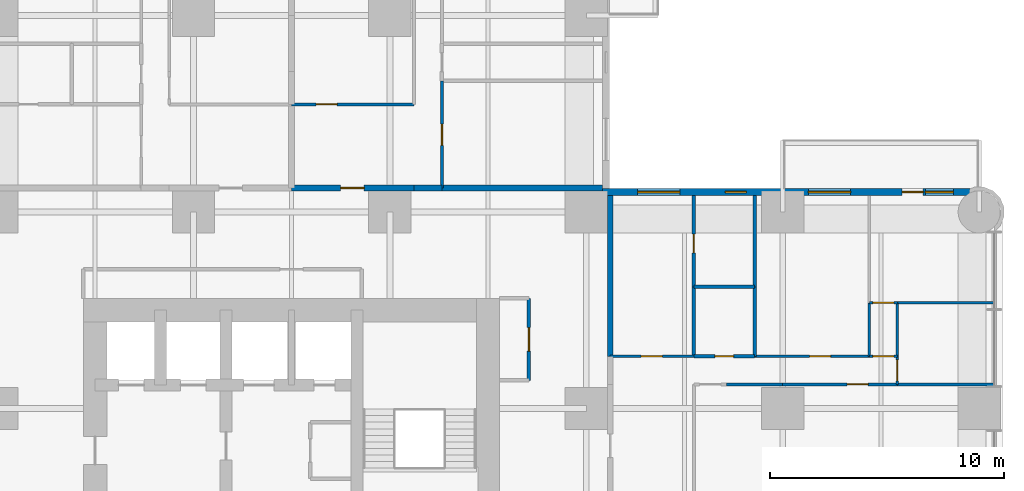
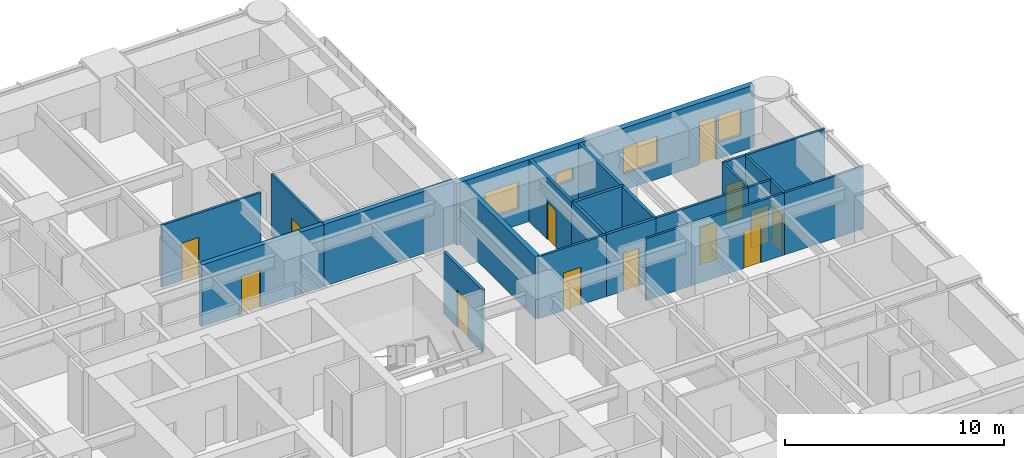
# One storey, part 14 of 17: 25 walls, 13 doors, 4 windows, 17 openings.
"""IFC4 building model written with IfcOpenShell, lengths in metres."""

from ifc_helpers import new_model, si_unit, direction, frame, frame_2d, origin, place, context, subcontext, project, spatial, rectangle, extrude, material, layer, layer_set, type_object, element, fill, save


model = new_model("IFC4")

# Units and contexts
model_context = context("Model", 3, precision=1e-05, world=origin(), true_north=direction((0.0, 1.0)))
body_context = subcontext(model_context, "Body", "Model", "MODEL_VIEW")
ifc_project = project(units=[si_unit("LENGTHUNIT", "METRE"), si_unit("AREAUNIT", "SQUARE_METRE"), si_unit("VOLUMEUNIT", "CUBIC_METRE"), si_unit("PLANEANGLEUNIT", "RADIAN"), si_unit("MASSUNIT", "GRAM", prefix="KILO")], contexts=[model_context])

# Site, building, storey
site_placement = place(None, origin())
site = spatial("IfcSite", under=ifc_project, at=site_placement, CompositionType="ELEMENT")
building_placement = place(site_placement, origin())
building = spatial("IfcBuilding", under=site, at=building_placement, Name="Torre Alcanfor", CompositionType="ELEMENT")
storey_placement = place(building_placement, frame((0.0, 0.0, 45.300048828125)))
storey = spatial("IfcBuildingStorey", under=building, at=storey_placement, Name="L10", CompositionType="ELEMENT", Elevation=45.300048828125)

# Wall, opening, door
ifc_material_1 = material(Name="Concrete block masonry, hollow blocks NMX-C-404 9 MPa", Category="masonry")
ifc_layer_1 = layer(ifc_material_1, 0.25)
ifc_layer_set_1 = layer_set([ifc_layer_1], Name="Apartment entrance wall 250 EI 60")
wall_type_1 = type_object("IfcWallType", Name="Apartment entrance wall 250 EI 60", PredefinedType="PARTITIONING", material=ifc_layer_set_1)
wall_1_placement = place(storey_placement, frame((29.39990234375, 43.02490234375, 0.0), z_axis=(0.0, 0.0, 1.0), x_axis=(1.0, 0.0, 0.0)))
wall_1 = element("IfcWall", 1, at=wall_1_placement, inside=storey, type_object=wall_type_1, Name="Partition L10-CORR / L10-N2-ZAG", PredefinedType="PARTITIONING", context=body_context, shape_type="SweptSolid", body=[
    extrude(rectangle(XDim=5.22900390625, YDim=0.25, at=frame_2d((2.614501953125, 0.0))), origin(), (0.0, 0.0, 1.0), 3.449951171875),
])
opening_1_placement = place(wall_1_placement, frame((2.10009765625, 0.0, 0.0)))
opening_1 = element("IfcOpeningElement", 2, at=opening_1_placement, cuts=wall_1, Name="Opening D-A1", PredefinedType="OPENING", context=body_context, shape_type="SweptSolid", body=[
    extrude(rectangle(XDim=1.0, YDim=2.10009765625, at=frame_2d((0.5, 1.050048828125))), frame((0.0, 0.135009765625, 0.0), z_axis=(0.0, -1.0, 0.0), x_axis=(1.0, 0.0, 0.0)), (0.0, 0.0, 1.0), 0.27001953125),
])
ifc_material_2 = material(Name="Galvanised steel sheet ASTM A653", Category="steel")
door_type_1 = type_object("IfcDoorType", Name="Apartment entrance door FD60 1000x2100", OperationType="SINGLE_SWING_LEFT", PredefinedType="DOOR", material=ifc_material_2)
door_1_placement = place(opening_1_placement, origin())
door_1 = element("IfcDoor", 3, at=door_1_placement, inside=storey, type_object=door_type_1, Name="Apartment entrance L10-N2", OperationType="SINGLE_SWING_LEFT", OverallHeight=2.10009765625, OverallWidth=1.0, PredefinedType="DOOR", context=body_context, shape_type="SweptSolid", body=[
    extrude(rectangle(XDim=1.0, YDim=2.10009765625, at=frame_2d((0.5, 1.050048828125))), frame((0.0, 0.02490234375, 0.0), z_axis=(0.0, -1.0, 0.0), x_axis=(1.0, 0.0, 0.0)), (0.0, 0.0, 1.0), 0.050048828125),
])
fill(opening_1, door_1)

# Walls
wall_2_placement = place(storey_placement, frame((34.62890625, 43.02490234375, 0.0), z_axis=(0.0, 0.0, 1.0), x_axis=(1.0, 0.0, 0.0)))
element("IfcWall", 4, at=wall_2_placement, inside=storey, type_object=wall_type_1, Name="Partition L10-CORR / L10-N2-HALL", PredefinedType="PARTITIONING", context=body_context, shape_type="SweptSolid", body=[
    extrude(rectangle(XDim=1.2001953125, YDim=0.25, at=frame_2d((0.60009765625, 0.0))), origin(), (0.0, 0.0, 1.0), 3.449951171875),
])
for number, where, z_axis, x_axis, name in (
    (5, (35.8291015625, 43.02490234375, 0.0), (0.0, 0.0, 1.0), (1.0, 0.0, 0.0), "Partition L10-CORR / L10-N2-BED3"),
    (6, (43.02490234375, 42.699951171875, 0.0), (0.0, 0.0, 1.0), (0.0, -1.0, 0.0), "Partition L10-CORR / L10-E1-SERV"),
):
    element("IfcWall", number, at=place(storey_placement, frame(where, z_axis=z_axis, x_axis=x_axis)), inside=storey, type_object=wall_type_1, Name=name, PredefinedType="PARTITIONING", context=body_context, shape_type="SweptSolid", body=[
        extrude(rectangle(XDim=6.870849609375, YDim=0.25, at=frame_2d((3.435546875, 0.0))), origin(), (0.0, 0.0, 1.0), 3.449951171875),
    ])

# Wall, opening, door
ifc_material_3 = material(Name="Gypsum board on steel studs", Category="steel")
ifc_layer_2 = layer(ifc_material_3, 0.1201171875)
ifc_layer_set_2 = layer_set([ifc_layer_2], Name="Apartment partition 120")
wall_type_2 = type_object("IfcWallType", Name="Apartment partition 120", PredefinedType="PARTITIONING", material=ifc_layer_set_2)
wall_3_placement = place(storey_placement, frame((29.39990234375, 46.60009765625, 0.0), z_axis=(0.0, 0.0, 1.0), x_axis=(1.0, 0.0, 0.0)))
wall_3 = element("IfcWall", 7, at=wall_3_placement, inside=storey, type_object=wall_type_2, Name="Partition L10-N2-ZAG / L10-N2-KITCHEN", PredefinedType="PARTITIONING", context=body_context, shape_type="SweptSolid", body=[
    extrude(rectangle(XDim=5.22900390625, YDim=0.1201171875, at=frame_2d((2.614501953125, 0.0))), origin(), (0.0, 0.0, 1.0), 3.449951171875),
])
opening_2_placement = place(wall_3_placement, frame((1.050048828125, 0.0, 0.0)))
opening_2 = element("IfcOpeningElement", 8, at=opening_2_placement, cuts=wall_3, Name="Opening D-R1", PredefinedType="OPENING", context=body_context, shape_type="SweptSolid", body=[
    extrude(rectangle(XDim=0.89990234375, YDim=2.10009765625, at=frame_2d((0.449951171875, 1.050048828125))), frame((0.0, 0.070068359375, 0.0), z_axis=(0.0, -1.0, 0.0), x_axis=(1.0, 0.0, 0.0)), (0.0, 0.0, 1.0), 0.14013671875),
])
ifc_material_4 = material(Name="Timber", Category="wood")
door_type_2 = type_object("IfcDoorType", Name="Internal door 900x2100", OperationType="SINGLE_SWING_LEFT", PredefinedType="DOOR", material=ifc_material_4)
door_2_placement = place(opening_2_placement, origin())
door_2 = element("IfcDoor", 9, at=door_2_placement, inside=storey, type_object=door_type_2, Name="Door L10-N2 kitchen", OperationType="SINGLE_SWING_LEFT", OverallHeight=2.10009765625, OverallWidth=0.89990234375, PredefinedType="DOOR", context=body_context, shape_type="SweptSolid", body=[
    extrude(rectangle(XDim=0.89990234375, YDim=2.10009765625, at=frame_2d((0.449951171875, 1.050048828125))), frame((0.0, 0.02490234375, 0.0), z_axis=(0.0, -1.0, 0.0), x_axis=(1.0, 0.0, 0.0)), (0.0, 0.0, 1.0), 0.050048828125),
])
fill(opening_2, door_2)

wall_4_placement = place(storey_placement, frame((35.8291015625, 47.60009765625, 0.0), z_axis=(0.0, 0.0, 1.0), x_axis=(0.0, -1.0, 0.0)))
wall_4 = element("IfcWall", 10, at=wall_4_placement, inside=storey, type_object=wall_type_2, Name="Partition L10-N2-HALL / L10-N2-BED3", PredefinedType="PARTITIONING", context=body_context, shape_type="SweptSolid", body=[
    extrude(rectangle(XDim=4.5751953125, YDim=0.1201171875, at=frame_2d((2.28759765625, 0.0))), origin(), (0.0, 0.0, 1.0), 3.449951171875),
])
opening_3_placement = place(wall_4_placement, frame((1.85009765625, 0.0, 0.0)))
opening_3 = element("IfcOpeningElement", 11, at=opening_3_placement, cuts=wall_4, Name="Opening D-R1", PredefinedType="OPENING", context=body_context, shape_type="SweptSolid", body=[
    extrude(rectangle(XDim=0.89990234375, YDim=2.10009765625, at=frame_2d((0.449951171875, 1.050048828125))), frame((0.0, 0.070068359375, 0.0), z_axis=(0.0, -1.0, 0.0), x_axis=(1.0, 0.0, 0.0)), (0.0, 0.0, 1.0), 0.14013671875),
])
door_3_placement = place(opening_3_placement, origin())
door_3 = element("IfcDoor", 12, at=door_3_placement, inside=storey, type_object=door_type_2, Name="Door L10-N2 bed3", OperationType="SINGLE_SWING_RIGHT", OverallHeight=2.10009765625, OverallWidth=0.89990234375, PredefinedType="DOOR", context=body_context, shape_type="SweptSolid", body=[
    extrude(rectangle(XDim=0.89990234375, YDim=2.10009765625, at=frame_2d((0.449951171875, 1.050048828125))), frame((0.0, 0.02490234375, 0.0), z_axis=(0.0, -1.0, 0.0), x_axis=(1.0, 0.0, 0.0)), (0.0, 0.0, 1.0), 0.050048828125),
])
fill(opening_3, door_3)

# Wall
wall_5_placement = place(storey_placement, frame((50.39990234375, 34.62890625, 0.0), z_axis=(0.0, 0.0, 1.0), x_axis=(-1.0, 0.0, 0.0)))
element("IfcWall", 13, at=wall_5_placement, inside=storey, type_object=wall_type_2, Name="Partition L10-E1-KITCHEN / L10-E1-HALL", PredefinedType="PARTITIONING", context=body_context, shape_type="SweptSolid", body=[
    extrude(rectangle(XDim=2.39990234375, YDim=0.1201171875, at=frame_2d((1.199951171875, 0.0))), origin(), (0.0, 0.0, 1.0), 3.449951171875),
])

# Wall, opening, door
wall_6_placement = place(storey_placement, frame((55.300048828125, 34.62890625, 0.0), z_axis=(0.0, 0.0, 1.0), x_axis=(-1.0, 0.0, 0.0)))
wall_6 = element("IfcWall", 14, at=wall_6_placement, inside=storey, type_object=wall_type_2, Name="Partition L10-E1-LIVING / L10-E1-HALL", PredefinedType="PARTITIONING", context=body_context, shape_type="SweptSolid", body=[
    extrude(rectangle(XDim=4.900146484375, YDim=0.1201171875, at=frame_2d((2.4501953125, 0.0))), origin(), (0.0, 0.0, 1.0), 3.449951171875),
])
opening_4_placement = place(wall_6_placement, frame((1.25, 0.0, 0.0)))
opening_4 = element("IfcOpeningElement", 15, at=opening_4_placement, cuts=wall_6, Name="Opening D-R1", PredefinedType="OPENING", context=body_context, shape_type="SweptSolid", body=[
    extrude(rectangle(XDim=0.89990234375, YDim=2.10009765625, at=frame_2d((0.449951171875, 1.050048828125))), frame((0.0, 0.070068359375, 0.0), z_axis=(0.0, -1.0, 0.0), x_axis=(1.0, 0.0, 0.0)), (0.0, 0.0, 1.0), 0.14013671875),
])
door_4_placement = place(opening_4_placement, origin())
door_4 = element("IfcDoor", 16, at=door_4_placement, inside=storey, type_object=door_type_2, Name="Door L10-E1 living", OperationType="SINGLE_SWING_RIGHT", OverallHeight=2.10009765625, OverallWidth=0.89990234375, PredefinedType="DOOR", context=body_context, shape_type="SweptSolid", body=[
    extrude(rectangle(XDim=0.89990234375, YDim=2.10009765625, at=frame_2d((0.449951171875, 1.050048828125))), frame((0.0, 0.02490234375, 0.0), z_axis=(0.0, -1.0, 0.0), x_axis=(1.0, 0.0, 0.0)), (0.0, 0.0, 1.0), 0.050048828125),
])
fill(opening_4, door_4)

# Wall
wall_7_placement = place(storey_placement, frame((59.449951171875, 34.62890625, 0.0), z_axis=(0.0, 0.0, 1.0), x_axis=(-1.0, 0.0, 0.0)))
element("IfcWall", 17, at=wall_7_placement, inside=storey, type_object=wall_type_2, Name="Partition L10-E1-LIVING / L10-E1-BED2", PredefinedType="PARTITIONING", context=body_context, shape_type="SweptSolid", body=[
    extrude(rectangle(XDim=4.14990234375, YDim=0.1201171875, at=frame_2d((2.074951171875, 0.0))), origin(), (0.0, 0.0, 1.0), 3.449951171875),
])

# Wall, opening, door
wall_8_placement = place(storey_placement, frame((46.60009765625, 35.8291015625, 0.0), z_axis=(0.0, 0.0, 1.0), x_axis=(-1.0, 0.0, 0.0)))
wall_8 = element("IfcWall", 18, at=wall_8_placement, inside=storey, type_object=wall_type_2, Name="Partition L10-E1-HALL / L10-E1-SERV", PredefinedType="PARTITIONING", context=body_context, shape_type="SweptSolid", body=[
    extrude(rectangle(XDim=3.5751953125, YDim=0.1201171875, at=frame_2d((1.78759765625, 0.0))), origin(), (0.0, 0.0, 1.0), 3.449951171875),
])
opening_5_placement = place(wall_8_placement, frame((1.35009765625, 0.0, 0.0)))
opening_5 = element("IfcOpeningElement", 19, at=opening_5_placement, cuts=wall_8, Name="Opening D-R1", PredefinedType="OPENING", context=body_context, shape_type="SweptSolid", body=[
    extrude(rectangle(XDim=0.89990234375, YDim=2.10009765625, at=frame_2d((0.449951171875, 1.050048828125))), frame((0.0, 0.070068359375, 0.0), z_axis=(0.0, -1.0, 0.0), x_axis=(1.0, 0.0, 0.0)), (0.0, 0.0, 1.0), 0.14013671875),
])
door_5_placement = place(opening_5_placement, frame((0.89990234375, 0.0, 0.0), z_axis=(0.0, 0.0, 1.0), x_axis=(-1.0, 0.0, 0.0)))
door_5 = element("IfcDoor", 20, at=door_5_placement, inside=storey, type_object=door_type_2, Name="Door L10-E1 serv", OperationType="SINGLE_SWING_LEFT", OverallHeight=2.10009765625, OverallWidth=0.89990234375, PredefinedType="DOOR", context=body_context, shape_type="SweptSolid", body=[
    extrude(rectangle(XDim=0.89990234375, YDim=2.10009765625, at=frame_2d((0.449951171875, 1.050048828125))), frame((0.0, 0.025146484375, 0.0), z_axis=(0.0, -1.0, 0.0), x_axis=(1.0, 0.0, 0.0)), (0.0, 0.0, 1.0), 0.050048828125),
])
fill(opening_5, door_5)

wall_9_placement = place(storey_placement, frame((54.10009765625, 35.8291015625, 0.0), z_axis=(0.0, 0.0, 1.0), x_axis=(-1.0, 0.0, 0.0)))
wall_9 = element("IfcWall", 21, at=wall_9_placement, inside=storey, type_object=wall_type_2, Name="Partition L10-E1-HALL / L10-E1-BED3", PredefinedType="PARTITIONING", context=body_context, shape_type="SweptSolid", body=[
    extrude(rectangle(XDim=4.900146484375, YDim=0.1201171875, at=frame_2d((2.4501953125, 0.0))), origin(), (0.0, 0.0, 1.0), 3.449951171875),
])
opening_6_placement = place(wall_9_placement, frame((1.64990234375, 0.0, 0.0)))
opening_6 = element("IfcOpeningElement", 22, at=opening_6_placement, cuts=wall_9, Name="Opening D-R1", PredefinedType="OPENING", context=body_context, shape_type="SweptSolid", body=[
    extrude(rectangle(XDim=0.89990234375, YDim=2.10009765625, at=frame_2d((0.449951171875, 1.050048828125))), frame((0.0, 0.070068359375, 0.0), z_axis=(0.0, -1.0, 0.0), x_axis=(1.0, 0.0, 0.0)), (0.0, 0.0, 1.0), 0.14013671875),
])
door_6_placement = place(opening_6_placement, frame((0.89990234375, 0.0, 0.0), z_axis=(0.0, 0.0, 1.0), x_axis=(-1.0, 0.0, 0.0)))
door_6 = element("IfcDoor", 23, at=door_6_placement, inside=storey, type_object=door_type_2, Name="Door L10-E1 bed3", OperationType="SINGLE_SWING_RIGHT", OverallHeight=2.10009765625, OverallWidth=0.89990234375, PredefinedType="DOOR", context=body_context, shape_type="SweptSolid", body=[
    extrude(rectangle(XDim=0.89990234375, YDim=2.10009765625, at=frame_2d((0.449951171875, 1.050048828125))), frame((0.0, 0.025146484375, 0.0), z_axis=(0.0, -1.0, 0.0), x_axis=(1.0, 0.0, 0.0)), (0.0, 0.0, 1.0), 0.050048828125),
])
fill(opening_6, door_6)

wall_10_placement = place(storey_placement, frame((55.300048828125, 35.8291015625, 0.0), z_axis=(0.0, 0.0, 1.0), x_axis=(-1.0, 0.0, 0.0)))
wall_10 = element("IfcWall", 24, at=wall_10_placement, inside=storey, type_object=wall_type_2, Name="Partition L10-E1-HALL / L10-E1-VEST", PredefinedType="PARTITIONING", context=body_context, shape_type="SweptSolid", body=[
    extrude(rectangle(XDim=1.199951171875, YDim=0.1201171875, at=frame_2d((0.60009765625, 0.0))), origin(), (0.0, 0.0, 1.0), 3.449951171875),
])
opening_7_placement = place(wall_10_placement, frame((0.14990234375, 0.0, 0.0)))
opening_7 = element("IfcOpeningElement", 25, at=opening_7_placement, cuts=wall_10, Name="Opening D-R1", PredefinedType="OPENING", context=body_context, shape_type="SweptSolid", body=[
    extrude(rectangle(XDim=0.89990234375, YDim=2.10009765625, at=frame_2d((0.449951171875, 1.050048828125))), frame((0.0, 0.070068359375, 0.0), z_axis=(0.0, -1.0, 0.0), x_axis=(1.0, 0.0, 0.0)), (0.0, 0.0, 1.0), 0.14013671875),
])
door_7_placement = place(opening_7_placement, frame((0.89990234375, 0.0, 0.0), z_axis=(0.0, 0.0, 1.0), x_axis=(-1.0, 0.0, 0.0)))
door_7 = element("IfcDoor", 26, at=door_7_placement, inside=storey, type_object=door_type_2, Name="Door L10-E1 vest", OperationType="SINGLE_SWING_RIGHT", OverallHeight=2.10009765625, OverallWidth=0.89990234375, PredefinedType="DOOR", context=body_context, shape_type="SweptSolid", body=[
    extrude(rectangle(XDim=0.89990234375, YDim=2.10009765625, at=frame_2d((0.449951171875, 1.050048828125))), frame((0.0, 0.025146484375, 0.0), z_axis=(0.0, -1.0, 0.0), x_axis=(1.0, 0.0, 0.0)), (0.0, 0.0, 1.0), 0.050048828125),
])
fill(opening_7, door_7)

wall_11_placement = place(storey_placement, frame((55.300048828125, 34.62890625, 0.0), z_axis=(0.0, 0.0, 1.0), x_axis=(0.0, 1.0, 0.0)))
wall_11 = element("IfcWall", 27, at=wall_11_placement, inside=storey, type_object=wall_type_2, Name="Partition L10-E1-HALL / L10-E1-BED2", PredefinedType="PARTITIONING", context=body_context, shape_type="SweptSolid", body=[
    extrude(rectangle(XDim=1.2001953125, YDim=0.1201171875, at=frame_2d((0.60009765625, 0.0))), origin(), (0.0, 0.0, 1.0), 3.449951171875),
])
opening_8_placement = place(wall_11_placement, frame((0.15087890625, 0.0, 0.0)))
opening_8 = element("IfcOpeningElement", 28, at=opening_8_placement, cuts=wall_11, Name="Opening D-R1", PredefinedType="OPENING", context=body_context, shape_type="SweptSolid", body=[
    extrude(rectangle(XDim=0.89990234375, YDim=2.10009765625, at=frame_2d((0.449951171875, 1.050048828125))), frame((0.0, 0.070068359375, 0.0), z_axis=(0.0, -1.0, 0.0), x_axis=(1.0, 0.0, 0.0)), (0.0, 0.0, 1.0), 0.14013671875),
])
door_8_placement = place(opening_8_placement, frame((0.89990234375, 0.0, 0.0), z_axis=(0.0, 0.0, 1.0), x_axis=(-1.0, 0.0, 0.0)))
door_8 = element("IfcDoor", 29, at=door_8_placement, inside=storey, type_object=door_type_2, Name="Door L10-E1 bed2", OperationType="SINGLE_SWING_RIGHT", OverallHeight=2.10009765625, OverallWidth=0.89990234375, PredefinedType="DOOR", context=body_context, shape_type="SweptSolid", body=[
    extrude(rectangle(XDim=0.89990234375, YDim=2.10009765625, at=frame_2d((0.449951171875, 1.050048828125))), frame((0.0, 0.025146484375, 0.0), z_axis=(0.0, -1.0, 0.0), x_axis=(1.0, 0.0, 0.0)), (0.0, 0.0, 1.0), 0.050048828125),
])
fill(opening_8, door_8)

# Walls
for number, where, z_axis, x_axis, name in (
    (30, (54.10009765625, 35.8291015625, 0.0), (0.0, 0.0, 1.0), (0.0, 1.0, 0.0), "Partition L10-E1-BED3 / L10-E1-VEST"),
    (31, (55.300048828125, 35.8291015625, 0.0), (0.0, 0.0, 1.0), (0.0, 1.0, 0.0), "Partition L10-E1-VEST / L10-E1-BED2"),
):
    element("IfcWall", number, at=place(storey_placement, frame(where, z_axis=z_axis, x_axis=x_axis)), inside=storey, type_object=wall_type_2, Name=name, PredefinedType="PARTITIONING", context=body_context, shape_type="SweptSolid", body=[
        extrude(rectangle(XDim=2.284912109375, YDim=0.1201171875, at=frame_2d((1.142578125, 0.0))), origin(), (0.0, 0.0, 1.0), 3.449951171875),
    ])

# Wall, opening, door
wall_12_placement = place(storey_placement, frame((55.300048828125, 38.114013671875, 0.0), z_axis=(0.0, 0.0, 1.0), x_axis=(-1.0, 0.0, 0.0)))
wall_12 = element("IfcWall", 32, at=wall_12_placement, inside=storey, type_object=wall_type_2, Name="Partition L10-E1-VEST / L10-E1-MASTER", PredefinedType="PARTITIONING", context=body_context, shape_type="SweptSolid", body=[
    extrude(rectangle(XDim=1.199951171875, YDim=0.1201171875, at=frame_2d((0.60009765625, 0.0))), origin(), (0.0, 0.0, 1.0), 3.449951171875),
])
opening_9_placement = place(wall_12_placement, frame((0.14990234375, 0.0, 0.0)))
opening_9 = element("IfcOpeningElement", 33, at=opening_9_placement, cuts=wall_12, Name="Opening D-R1", PredefinedType="OPENING", context=body_context, shape_type="SweptSolid", body=[
    extrude(rectangle(XDim=0.89990234375, YDim=2.10009765625, at=frame_2d((0.449951171875, 1.050048828125))), frame((0.0, 0.070068359375, 0.0), z_axis=(0.0, -1.0, 0.0), x_axis=(1.0, 0.0, 0.0)), (0.0, 0.0, 1.0), 0.14013671875),
])
door_9_placement = place(opening_9_placement, origin())
door_9 = element("IfcDoor", 34, at=door_9_placement, inside=storey, type_object=door_type_2, Name="Door L10-E1 master", OperationType="SINGLE_SWING_LEFT", OverallHeight=2.10009765625, OverallWidth=0.89990234375, PredefinedType="DOOR", context=body_context, shape_type="SweptSolid", body=[
    extrude(rectangle(XDim=0.89990234375, YDim=2.10009765625, at=frame_2d((0.449951171875, 1.050048828125))), frame((0.0, 0.02490234375, 0.0), z_axis=(0.0, -1.0, 0.0), x_axis=(1.0, 0.0, 0.0)), (0.0, 0.0, 1.0), 0.050048828125),
])
fill(opening_9, door_9)

# Wall
wall_13_placement = place(storey_placement, frame((59.449951171875, 38.114013671875, 0.0), z_axis=(0.0, 0.0, 1.0), x_axis=(-1.0, 0.0, 0.0)))
element("IfcWall", 35, at=wall_13_placement, inside=storey, type_object=wall_type_2, Name="Partition L10-E1-BED2 / L10-E1-MASTER", PredefinedType="PARTITIONING", context=body_context, shape_type="SweptSolid", body=[
    extrude(rectangle(XDim=4.14990234375, YDim=0.1201171875, at=frame_2d((2.074951171875, 0.0))), origin(), (0.0, 0.0, 1.0), 3.449951171875),
])

# Wall, openings, door, windows
ifc_material_5 = material(Name="Limestone cladding", Category="masonry")
ifc_layer_3 = layer(ifc_material_5, 0.0400390625, Name="Facing")
ifc_material_6 = material(Name="Ventilated air cavity")
ifc_layer_4 = layer(ifc_material_6, 0.02001953125, ventilated=True, Name="Ventilated joint")
ifc_material_7 = material(Name="Mineral wool insulation", Category="insulation")
ifc_layer_5 = layer(ifc_material_7, 0.10009765625, Name="Insulation")
ifc_material_8 = material(Name="Concrete f'c 35 MPa", Category="concrete")
ifc_layer_6 = layer(ifc_material_8, 0.139892578125, Name="Backing")
ifc_layer_set_3 = layer_set([ifc_layer_3, ifc_layer_4, ifc_layer_5, ifc_layer_6], Name="External wall stone-clad 300")
wall_type_3 = type_object("IfcWallType", Name="External wall stone-clad 300", PredefinedType="SOLIDWALL", material=ifc_layer_set_3)
wall_14_placement = place(storey_placement, frame((58.39990234375, 42.85009765625, 0.0), z_axis=(0.0, 0.0, 1.0), x_axis=(-1.0, 0.0, 0.0)))
wall_14 = element("IfcWall", 36, at=wall_14_placement, inside=storey, type_object=wall_type_3, Name="External wall L10 9", PredefinedType="SOLIDWALL", context=body_context, shape_type="SweptSolid", body=[
    extrude(rectangle(XDim=15.699951171875, YDim=0.300048828125, at=frame_2d((7.85009765625, 0.0))), origin(), (0.0, 0.0, 1.0), 3.449951171875),
])
opening_10_placement = place(wall_14_placement, frame((12.39990234375, 0.0, 0.89990234375)))
opening_10 = element("IfcOpeningElement", 37, at=opening_10_placement, cuts=wall_14, Name="Opening W2", PredefinedType="OPENING", context=body_context, shape_type="SweptSolid", body=[
    extrude(rectangle(XDim=1.800048828125, YDim=1.5, at=frame_2d((0.89990234375, 0.75))), frame((0.0, 0.159912109375, 0.0), z_axis=(0.0, -1.0, 0.0), x_axis=(1.0, 0.0, 0.0)), (0.0, 0.0, 1.0), 0.320068359375),
])
opening_11_placement = place(wall_14_placement, frame((9.550048828125, 0.0, 1.5)))
opening_11 = element("IfcOpeningElement", 38, at=opening_11_placement, cuts=wall_14, Name="Opening W3", PredefinedType="OPENING", context=body_context, shape_type="SweptSolid", body=[
    extrude(rectangle(XDim=0.89990234375, YDim=0.699951171875, at=frame_2d((0.449951171875, 0.35009765625))), frame((0.0, 0.159912109375, 0.0), z_axis=(0.0, -1.0, 0.0), x_axis=(1.0, 0.0, 0.0)), (0.0, 0.0, 1.0), 0.320068359375),
])
opening_12_placement = place(wall_14_placement, frame((5.10009765625, 0.0, 0.89990234375)))
opening_12 = element("IfcOpeningElement", 39, at=opening_12_placement, cuts=wall_14, Name="Opening W2", PredefinedType="OPENING", context=body_context, shape_type="SweptSolid", body=[
    extrude(rectangle(XDim=1.800048828125, YDim=1.5, at=frame_2d((0.89990234375, 0.75))), frame((0.0, 0.159912109375, 0.0), z_axis=(0.0, -1.0, 0.0), x_axis=(1.0, 0.0, 0.0)), (0.0, 0.0, 1.0), 0.320068359375),
])
opening_13_placement = place(wall_14_placement, frame((2.0, 0.0, 0.0)))
opening_13 = element("IfcOpeningElement", 40, at=opening_13_placement, cuts=wall_14, Name="Opening D-B1", PredefinedType="OPENING", context=body_context, shape_type="SweptSolid", body=[
    extrude(rectangle(XDim=0.89990234375, YDim=2.39990234375, at=frame_2d((0.449951171875, 1.199951171875))), frame((0.0, 0.159912109375, 0.0), z_axis=(0.0, -1.0, 0.0), x_axis=(1.0, 0.0, 0.0)), (0.0, 0.0, 1.0), 0.320068359375),
])
opening_14_placement = place(wall_14_placement, frame((0.699951171875, 0.0, 0.89990234375)))
opening_14 = element("IfcOpeningElement", 41, at=opening_14_placement, cuts=wall_14, Name="Opening W4", PredefinedType="OPENING", context=body_context, shape_type="SweptSolid", body=[
    extrude(rectangle(XDim=1.199951171875, YDim=1.5, at=frame_2d((0.60009765625, 0.75))), frame((0.0, 0.159912109375, 0.0), z_axis=(0.0, -1.0, 0.0), x_axis=(1.0, 0.0, 0.0)), (0.0, 0.0, 1.0), 0.320068359375),
])
ifc_material_9 = material(Name="Aluminium and glass", Category="aluminium")
door_type_3 = type_object("IfcDoorType", Name="Balcony door glazed 900x2400", OperationType="SINGLE_SWING_LEFT", PredefinedType="DOOR", material=ifc_material_9)
door_10_placement = place(opening_13_placement, origin())
door_10 = element("IfcDoor", 42, at=door_10_placement, inside=storey, type_object=door_type_3, Name="Balcony door L10-E1", OperationType="SINGLE_SWING_RIGHT", OverallHeight=2.39990234375, OverallWidth=0.89990234375, PredefinedType="DOOR", context=body_context, shape_type="SweptSolid", body=[
    extrude(rectangle(XDim=0.89990234375, YDim=2.39990234375, at=frame_2d((0.449951171875, 1.199951171875))), frame((0.0, 0.02490234375, 0.0), z_axis=(0.0, -1.0, 0.0), x_axis=(1.0, 0.0, 0.0)), (0.0, 0.0, 1.0), 0.050048828125),
])
fill(opening_13, door_10)
ifc_material_10 = material(Name="Aluminium frame with clear double glazing", Category="aluminium")
window_type_1 = type_object("IfcWindowType", Name="Window bathroom 900x700", PartitioningType="SINGLE_PANEL", PredefinedType="WINDOW", material=ifc_material_10)
window_1_placement = place(opening_11_placement, origin())
window_1 = element("IfcWindow", 43, at=window_1_placement, inside=storey, type_object=window_type_1, Name="Window W3 L10-E1", OverallHeight=0.699951171875, OverallWidth=0.89990234375, PartitioningType="SINGLE_PANEL", PredefinedType="WINDOW", context=body_context, shape_type="SweptSolid", body=[
    extrude(rectangle(XDim=0.89990234375, YDim=0.699951171875, at=frame_2d((0.449951171875, 0.35009765625))), frame((0.0, 0.030029296875, 0.0), z_axis=(0.0, -1.0, 0.0), x_axis=(1.0, 0.0, 0.0)), (0.0, 0.0, 1.0), 0.06005859375),
])
fill(opening_11, window_1)
ifc_material_11 = material(Name="Aluminium frame with clear double glazing", Category="aluminium")
window_type_2 = type_object("IfcWindowType", Name="Window bedroom 1200x1500", PartitioningType="SINGLE_PANEL", PredefinedType="WINDOW", material=ifc_material_11)
window_2_placement = place(opening_14_placement, origin())
window_2 = element("IfcWindow", 44, at=window_2_placement, inside=storey, type_object=window_type_2, Name="Window W4 L10-E1", OverallHeight=1.5, OverallWidth=1.199951171875, PartitioningType="SINGLE_PANEL", PredefinedType="WINDOW", context=body_context, shape_type="SweptSolid", body=[
    extrude(rectangle(XDim=1.199951171875, YDim=1.5, at=frame_2d((0.60009765625, 0.75))), frame((0.0, 0.030029296875, 0.0), z_axis=(0.0, -1.0, 0.0), x_axis=(1.0, 0.0, 0.0)), (0.0, 0.0, 1.0), 0.06005859375),
])
fill(opening_14, window_2)
ifc_material_12 = material(Name="Aluminium frame with clear double glazing", Category="aluminium")
window_type_3 = type_object("IfcWindowType", Name="Window bedroom 1800x1500", PartitioningType="SINGLE_PANEL", PredefinedType="WINDOW", material=ifc_material_12)
window_3_placement = place(opening_10_placement, origin())
window_3 = element("IfcWindow", 45, at=window_3_placement, inside=storey, type_object=window_type_3, Name="Window W2 L10-E1", OverallHeight=1.5, OverallWidth=1.800048828125, PartitioningType="SINGLE_PANEL", PredefinedType="WINDOW", context=body_context, shape_type="SweptSolid", body=[
    extrude(rectangle(XDim=1.800048828125, YDim=1.5, at=frame_2d((0.89990234375, 0.75))), frame((0.0, 0.030029296875, 0.0), z_axis=(0.0, -1.0, 0.0), x_axis=(1.0, 0.0, 0.0)), (0.0, 0.0, 1.0), 0.06005859375),
])
fill(opening_10, window_3)
window_4_placement = place(opening_12_placement, origin())
window_4 = element("IfcWindow", 46, at=window_4_placement, inside=storey, type_object=window_type_3, Name="Window W2 L10-E1", OverallHeight=1.5, OverallWidth=1.800048828125, PartitioningType="SINGLE_PANEL", PredefinedType="WINDOW", context=body_context, shape_type="SweptSolid", body=[
    extrude(rectangle(XDim=1.800048828125, YDim=1.5, at=frame_2d((0.89990234375, 0.75))), frame((0.0, 0.030029296875, 0.0), z_axis=(0.0, -1.0, 0.0), x_axis=(1.0, 0.0, 0.0)), (0.0, 0.0, 1.0), 0.06005859375),
])
fill(opening_12, window_4)

# Wall, opening, door
ifc_material_13 = material(Name="Concrete block masonry, hollow blocks NMX-C-404 9 MPa", Category="masonry")
ifc_layer_7 = layer(ifc_material_13, 0.14990234375)
ifc_layer_set_4 = layer_set([ifc_layer_7], Name="Residents' room partition 150")
wall_type_4 = type_object("IfcWallType", Name="Residents' room partition 150", PredefinedType="PARTITIONING", material=ifc_layer_set_4)
wall_15_placement = place(storey_placement, frame((39.550048828125, 34.800048828125, 0.0), z_axis=(0.0, 0.0, 1.0), x_axis=(0.0, 1.0, 0.0)))
wall_15 = element("IfcWall", 47, at=wall_15_placement, inside=storey, type_object=wall_type_4, Name="Partition L10-CORR / L10-G03", PredefinedType="PARTITIONING", context=body_context, shape_type="SweptSolid", body=[
    extrude(rectangle(XDim=3.5, YDim=0.14990234375, at=frame_2d((1.75, 0.0))), origin(), (0.0, 0.0, 1.0), 3.449951171875),
])
opening_15_placement = place(wall_15_placement, frame((1.25, 0.0, 0.0)))
opening_15 = element("IfcOpeningElement", 48, at=opening_15_placement, cuts=wall_15, Name="Opening D-M1", PredefinedType="OPENING", context=body_context, shape_type="SweptSolid", body=[
    extrude(rectangle(XDim=1.0, YDim=2.10009765625, at=frame_2d((0.5, 1.050048828125))), frame((0.0, 0.0849609375, 0.0), z_axis=(0.0, -1.0, 0.0), x_axis=(1.0, 0.0, 0.0)), (0.0, 0.0, 1.0), 0.169921875),
])
ifc_material_14 = material(Name="Timber", Category="wood")
door_type_4 = type_object("IfcDoorType", Name="Residents' room door 1000x2100", OperationType="SINGLE_SWING_LEFT", PredefinedType="DOOR", material=ifc_material_14)
door_11_placement = place(opening_15_placement, origin())
door_11 = element("IfcDoor", 49, at=door_11_placement, inside=storey, type_object=door_type_4, Name="Door L10-G03 parcel room", OperationType="SINGLE_SWING_LEFT", OverallHeight=2.10009765625, OverallWidth=1.0, PredefinedType="DOOR", context=body_context, shape_type="SweptSolid", body=[
    extrude(rectangle(XDim=1.0, YDim=2.10009765625, at=frame_2d((0.5, 1.050048828125))), frame((0.0, 0.02490234375, 0.0), z_axis=(0.0, -1.0, 0.0), x_axis=(1.0, 0.0, 0.0)), (0.0, 0.0, 1.0), 0.050048828125),
])
fill(opening_15, door_11)

ifc_material_15 = material(Name="Cement board on steel studs", Category="steel")
ifc_layer_8 = layer(ifc_material_15, 0.14990234375)
ifc_layer_set_5 = layer_set([ifc_layer_8], Name="Wet area partition 150")
wall_type_5 = type_object("IfcWallType", Name="Wet area partition 150", PredefinedType="PARTITIONING", material=ifc_layer_set_5)
wall_16_placement = place(storey_placement, frame((49.199951171875, 35.8291015625, 0.0), z_axis=(0.0, 0.0, 1.0), x_axis=(-1.0, 0.0, 0.0)))
wall_16 = element("IfcWall", 50, at=wall_16_placement, inside=storey, type_object=wall_type_5, Name="Partition L10-E1-HALL / L10-E1-BATH1", PredefinedType="PARTITIONING", context=body_context, shape_type="SweptSolid", body=[
    extrude(rectangle(XDim=2.599853515625, YDim=0.14990234375, at=frame_2d((1.2998046875, 0.0))), origin(), (0.0, 0.0, 1.0), 3.449951171875),
])
opening_16_placement = place(wall_16_placement, frame((0.89990234375, 0.0, 0.0)))
opening_16 = element("IfcOpeningElement", 51, at=opening_16_placement, cuts=wall_16, Name="Opening D-R2", PredefinedType="OPENING", context=body_context, shape_type="SweptSolid", body=[
    extrude(rectangle(XDim=0.800048828125, YDim=2.10009765625, at=frame_2d((0.39990234375, 1.050048828125))), frame((0.0, 0.0849609375, 0.0), z_axis=(0.0, -1.0, 0.0), x_axis=(1.0, 0.0, 0.0)), (0.0, 0.0, 1.0), 0.169921875),
])
ifc_material_16 = material(Name="Timber", Category="wood")
door_type_5 = type_object("IfcDoorType", Name="Bathroom door 800x2100", OperationType="SINGLE_SWING_LEFT", PredefinedType="DOOR", material=ifc_material_16)
door_12_placement = place(opening_16_placement, frame((0.800048828125, 0.0, 0.0), z_axis=(0.0, 0.0, 1.0), x_axis=(-1.0, 0.0, 0.0)))
door_12 = element("IfcDoor", 52, at=door_12_placement, inside=storey, type_object=door_type_5, Name="Door L10-E1 bath1", OperationType="SINGLE_SWING_RIGHT", OverallHeight=2.10009765625, OverallWidth=0.800048828125, PredefinedType="DOOR", context=body_context, shape_type="SweptSolid", body=[
    extrude(rectangle(XDim=0.800048828125, YDim=2.10009765625, at=frame_2d((0.400146484375, 1.050048828125))), frame((0.0, 0.025146484375, 0.0), z_axis=(0.0, -1.0, 0.0), x_axis=(1.0, 0.0, 0.0)), (0.0, 0.0, 1.0), 0.050048828125),
])
fill(opening_16, door_12)

# Wall
wall_17_placement = place(storey_placement, frame((46.60009765625, 35.8291015625, 0.0), z_axis=(0.0, 0.0, 1.0), x_axis=(0.0, 1.0, 0.0)))
element("IfcWall", 53, at=wall_17_placement, inside=storey, type_object=wall_type_5, Name="Partition L10-E1-SERV / L10-E1-BATH1", PredefinedType="PARTITIONING", context=body_context, shape_type="SweptSolid", body=[
    extrude(rectangle(XDim=2.970947265625, YDim=0.14990234375, at=frame_2d((1.4853515625, 0.0))), origin(), (0.0, 0.0, 1.0), 3.449951171875),
])

# Wall, opening, door
wall_18_placement = place(storey_placement, frame((46.60009765625, 38.800048828125, 0.0), z_axis=(0.0, 0.0, 1.0), x_axis=(0.0, 1.0, 0.0)))
wall_18 = element("IfcWall", 54, at=wall_18_placement, inside=storey, type_object=wall_type_5, Name="Partition L10-E1-SERV / L10-E1-SBATH", PredefinedType="PARTITIONING", context=body_context, shape_type="SweptSolid", body=[
    extrude(rectangle(XDim=3.89990234375, YDim=0.14990234375, at=frame_2d((1.949951171875, 0.0))), origin(), (0.0, 0.0, 1.0), 3.449951171875),
])
opening_17_placement = place(wall_18_placement, frame((1.449951171875, 0.0, 0.0)))
opening_17 = element("IfcOpeningElement", 55, at=opening_17_placement, cuts=wall_18, Name="Opening D-R2", PredefinedType="OPENING", context=body_context, shape_type="SweptSolid", body=[
    extrude(rectangle(XDim=0.800048828125, YDim=2.10009765625, at=frame_2d((0.39990234375, 1.050048828125))), frame((0.0, 0.0849609375, 0.0), z_axis=(0.0, -1.0, 0.0), x_axis=(1.0, 0.0, 0.0)), (0.0, 0.0, 1.0), 0.169921875),
])
door_13_placement = place(opening_17_placement, frame((0.800048828125, 0.0, 0.0), z_axis=(0.0, 0.0, 1.0), x_axis=(-1.0, 0.0, 0.0)))
door_13 = element("IfcDoor", 56, at=door_13_placement, inside=storey, type_object=door_type_5, Name="Door L10-E1 sbath", OperationType="SINGLE_SWING_RIGHT", OverallHeight=2.10009765625, OverallWidth=0.800048828125, PredefinedType="DOOR", context=body_context, shape_type="SweptSolid", body=[
    extrude(rectangle(XDim=0.800048828125, YDim=2.10009765625, at=frame_2d((0.400146484375, 1.050048828125))), frame((0.0, 0.025146484375, 0.0), z_axis=(0.0, -1.0, 0.0), x_axis=(1.0, 0.0, 0.0)), (0.0, 0.0, 1.0), 0.050048828125),
])
fill(opening_17, door_13)

# Walls
wall_19_placement = place(storey_placement, frame((49.199951171875, 38.800048828125, 0.0), z_axis=(0.0, 0.0, 1.0), x_axis=(-1.0, 0.0, 0.0)))
element("IfcWall", 57, at=wall_19_placement, inside=storey, type_object=wall_type_5, Name="Partition L10-E1-BATH1 / L10-E1-SBATH", PredefinedType="PARTITIONING", context=body_context, shape_type="SweptSolid", body=[
    extrude(rectangle(XDim=2.599853515625, YDim=0.14990234375, at=frame_2d((1.2998046875, 0.0))), origin(), (0.0, 0.0, 1.0), 3.449951171875),
])
wall_20_placement = place(storey_placement, frame((49.199951171875, 35.8291015625, 0.0), z_axis=(0.0, 0.0, 1.0), x_axis=(0.0, 1.0, 0.0)))
element("IfcWall", 58, at=wall_20_placement, inside=storey, type_object=wall_type_5, Name="Partition L10-E1-BATH1 / L10-E1-BED3", PredefinedType="PARTITIONING", context=body_context, shape_type="SweptSolid", body=[
    extrude(rectangle(XDim=2.970947265625, YDim=0.14990234375, at=frame_2d((1.4853515625, 0.0))), origin(), (0.0, 0.0, 1.0), 3.449951171875),
])
wall_21_placement = place(storey_placement, frame((49.199951171875, 38.800048828125, 0.0), z_axis=(0.0, 0.0, 1.0), x_axis=(0.0, 1.0, 0.0)))
element("IfcWall", 59, at=wall_21_placement, inside=storey, type_object=wall_type_5, Name="Partition L10-E1-SBATH / L10-E1-BED3", PredefinedType="PARTITIONING", context=body_context, shape_type="SweptSolid", body=[
    extrude(rectangle(XDim=3.89990234375, YDim=0.14990234375, at=frame_2d((1.949951171875, 0.0))), origin(), (0.0, 0.0, 1.0), 3.449951171875),
])

save(model, "model.ifc")
